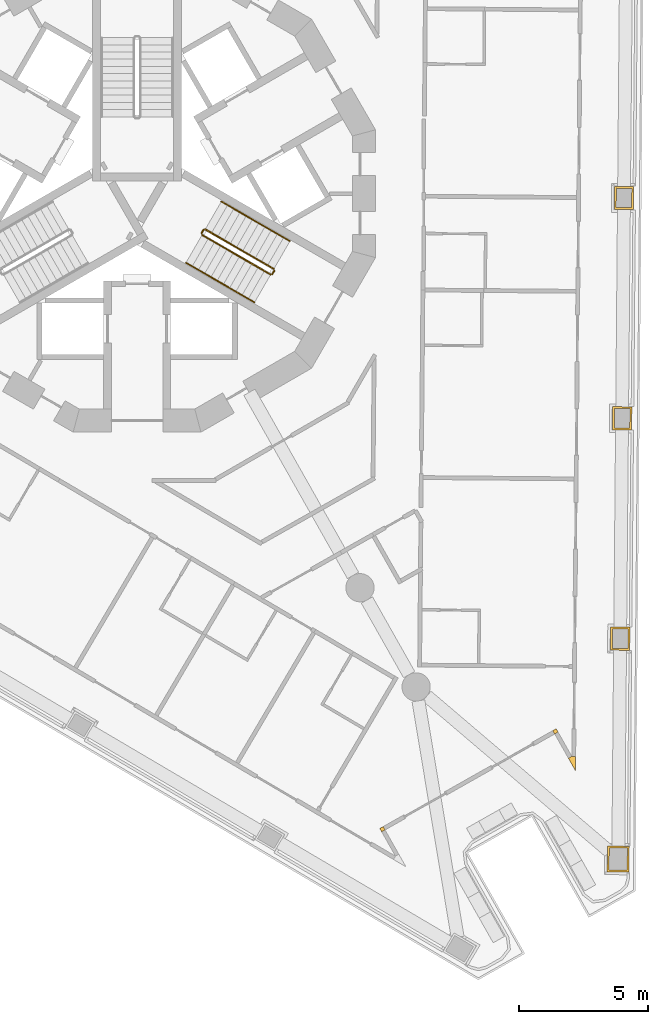
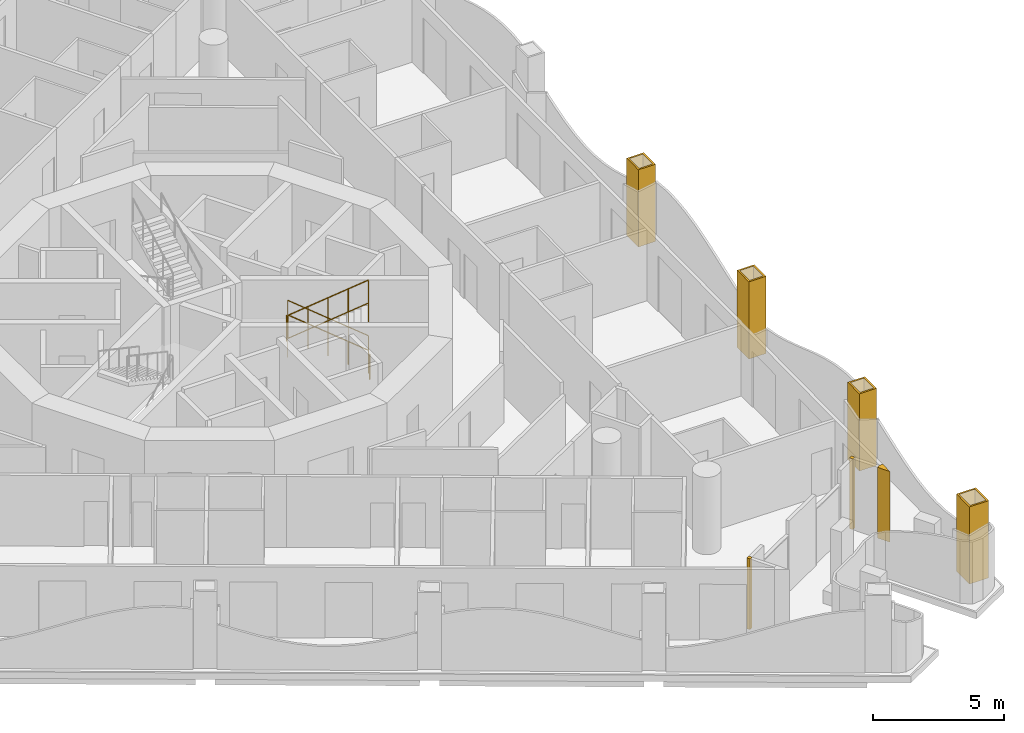
# One storey, part 14 of 17: 8 railings, 7 coverings.
"""IFC4 building model written with IfcOpenShell, lengths in metres."""

from ifc_helpers import new_model, si_unit, direction, frame, origin, origin_2d, place, context, subcontext, project, spatial, polyline, circle, outline, extrude, material, layer, layer_set, type_object, element, save


model = new_model("IFC4")

# Units and contexts
model_context = context("Model", 3, precision=1e-05, world=origin(), true_north=direction((0.0, 1.0)))
body_context = subcontext(model_context, "Body", "Model", "MODEL_VIEW")
ifc_project = project(units=[si_unit("LENGTHUNIT", "METRE"), si_unit("AREAUNIT", "SQUARE_METRE"), si_unit("VOLUMEUNIT", "CUBIC_METRE"), si_unit("PLANEANGLEUNIT", "RADIAN"), si_unit("MASSUNIT", "GRAM", prefix="KILO")], contexts=[model_context])

# Site, building, storey
site_placement = place(None, origin())
site = spatial("IfcSite", under=ifc_project, at=site_placement, CompositionType="ELEMENT")
building_placement = place(site_placement, origin())
building = spatial("IfcBuilding", under=site, at=building_placement, Name="Trine Commons Tower", CompositionType="ELEMENT")
storey_placement = place(building_placement, frame((0.0, 0.0, 168.300048828125)))
storey = spatial("IfcBuildingStorey", under=building, at=storey_placement, Name="L43", CompositionType="ELEMENT", Elevation=168.300048828125)

# Coverings
ifc_material_1 = material(Name="Aluminium-framed insulated wall panel", Category="aluminium")
ifc_layer_1 = layer(ifc_material_1, 0.14990234375)
ifc_layer_set_1 = layer_set([ifc_layer_1], Name="Aluminium-framed insulated wall panel")
covering_type_1 = type_object("IfcCoveringType", Name="Glazing corner post, aluminium", PredefinedType="CLADDING", material=ifc_layer_set_1)
covering_1_placement = place(storey_placement, origin())
element("IfcCovering", 1, at=covering_1_placement, inside=storey, type_object=covering_type_1, Name="Glazing corner post 5-09", PredefinedType="CLADDING", context=body_context, shape_type="SweptSolid", body=[
    extrude(outline(polyline([(96.776611328125, 40.5439453125), (97.05224609375, 40.056640625), (97.05712890625, 40.616455078125), (96.9072265625, 40.617919921875), (96.9072265625, 40.617919921875), (96.776611328125, 40.5439453125)])), origin(), (0.0, 0.0, 1.0), 3.300048828125),
])
covering_2_placement = place(storey_placement, origin())
element("IfcCovering", 2, at=covering_2_placement, inside=storey, type_object=covering_type_1, Name="Glazing corner post 5-10", PredefinedType="CLADDING", context=body_context, shape_type="SweptSolid", body=[
    extrude(outline(polyline([(96.168212890625, 41.619384765625), (96.241943359375, 41.489013671875), (96.37255859375, 41.562744140625), (96.298583984375, 41.693359375), (96.168212890625, 41.619384765625)])), origin(), (0.0, 0.0, 1.0), 3.300048828125),
])
covering_3_placement = place(storey_placement, origin())
element("IfcCovering", 3, at=covering_3_placement, inside=storey, type_object=covering_type_1, Name="Glazing corner post 5-11", PredefinedType="CLADDING", context=body_context, shape_type="SweptSolid", body=[
    extrude(outline(polyline([(89.51416015625, 37.6826171875), (89.644775390625, 37.75634765625), (89.57080078125, 37.886962890625), (89.440185546875, 37.81298828125), (89.51416015625, 37.6826171875)])), origin(), (0.0, 0.0, 1.0), 3.300048828125),
])
ifc_material_2 = material(Name="Limestone, honed", Category="masonry")
ifc_layer_2 = layer(ifc_material_2, 0.074951171875)
ifc_layer_set_2 = layer_set([ifc_layer_2], Name="Limestone, honed")
covering_type_2 = type_object("IfcCoveringType", Name="Limestone column cladding 75", PredefinedType="CLADDING", material=ifc_layer_set_2)
covering_4_placement = place(storey_placement, origin())
element("IfcCovering", 4, at=covering_4_placement, inside=storey, type_object=covering_type_2, Name="Limestone pier cladding 5-18", PredefinedType="CLADDING", context=body_context, shape_type="SweptSolid", body=[
    extrude(outline(polyline([(99.315673828125, 62.781494140625), (98.565673828125, 62.7880859375), (98.557861328125, 61.887939453125), (99.307861328125, 61.88134765625), (99.315673828125, 62.781494140625)]), holes=[polyline([(99.239990234375, 62.70703125), (98.64013671875, 62.71240234375), (98.633544921875, 61.96240234375), (99.2333984375, 61.95703125), (99.239990234375, 62.70703125)])]), origin(), (0.0, 0.0, 1.0), 3.599853515625),
])
covering_5_placement = place(storey_placement, origin())
element("IfcCovering", 5, at=covering_5_placement, inside=storey, type_object=covering_type_2, Name="Limestone pier cladding 5-19", PredefinedType="CLADDING", context=body_context, shape_type="SweptSolid", body=[
    extrude(outline(polyline([(99.240966796875, 54.211181640625), (98.490966796875, 54.2177734375), (98.483154296875, 53.31787109375), (99.233154296875, 53.311279296875), (99.240966796875, 54.211181640625)]), holes=[polyline([(99.165283203125, 54.136962890625), (98.565185546875, 54.14208984375), (98.55859375, 53.39208984375), (99.15869140625, 53.386962890625), (99.165283203125, 54.136962890625)])]), origin(), (0.0, 0.0, 1.0), 3.599853515625),
])
covering_6_placement = place(storey_placement, origin())
element("IfcCovering", 6, at=covering_6_placement, inside=storey, type_object=covering_type_2, Name="Limestone pier cladding 5-20", PredefinedType="CLADDING", context=body_context, shape_type="SweptSolid", body=[
    extrude(outline(polyline([(99.166015625, 45.640869140625), (98.416015625, 45.6474609375), (98.408203125, 44.74755859375), (99.158203125, 44.740966796875), (99.166015625, 45.640869140625)]), holes=[polyline([(99.090576171875, 45.566650390625), (98.490478515625, 45.57177734375), (98.48388671875, 44.82177734375), (99.083984375, 44.816650390625), (99.090576171875, 45.566650390625)])]), origin(), (0.0, 0.0, 1.0), 3.599853515625),
])
covering_7_placement = place(storey_placement, origin())
element("IfcCovering", 7, at=covering_7_placement, inside=storey, type_object=covering_type_2, Name="Limestone pier cladding 5-21", PredefinedType="CLADDING", context=body_context, shape_type="SweptSolid", body=[
    extrude(outline(polyline([(99.1416015625, 37.1201171875), (98.291748046875, 37.127685546875), (98.283203125, 36.127685546875), (99.133056640625, 36.1201171875), (99.1416015625, 37.1201171875)]), holes=[polyline([(99.066162109375, 37.0458984375), (98.3662109375, 37.052001953125), (98.358642578125, 36.201904296875), (99.05859375, 36.19580078125), (99.066162109375, 37.0458984375)])]), origin(), (0.0, 0.0, 1.0), 3.599853515625),
])

# Railings
ifc_material_3 = material(Name="Stainless steel balustrade", Category="steel")
railing_type_1 = type_object("IfcRailingType", Name="Stair guard, steel balustrade 1100", PredefinedType="GUARDRAIL", material=ifc_material_3)
railing_1_placement = place(storey_placement, frame((85.31982421875, 59.572998046875, 0.14990234375)))
element("IfcRailing", 8, at=railing_1_placement, inside=storey, type_object=railing_type_1, Name="L43 ST3B stair guard 1", PredefinedType="GUARDRAIL", context=body_context, shape_type="SweptSolid", body=[
    extrude(circle(Radius=0.02392578125, at=origin_2d()), frame((0.0, 0.0, 1.076171875), z_axis=(-0.763379768245, 0.440728498818, 0.472239049384), x_axis=(-0.499992328818, -0.866029832698, 0.0)), (0.0, 0.0, 1.0), 3.494384765625),
    extrude(circle(Radius=0.02099609375, at=origin_2d()), origin(), (0.0, 0.0, 1.0), 1.052001953125),
    extrude(circle(Radius=0.02099609375, at=origin_2d()), frame((-0.6669921875, 0.385009765625, 0.41259765625)), (0.0, 0.0, 1.0), 1.052001953125),
    extrude(circle(Radius=0.02099609375, at=origin_2d()), frame((-1.333740234375, 0.77001953125, 0.8251953125)), (0.0, 0.0, 1.0), 1.052001953125),
    extrude(circle(Radius=0.02099609375, at=origin_2d()), frame((-2.00048828125, 1.155029296875, 1.237548828125)), (0.0, 0.0, 1.0), 1.052001953125),
    extrude(circle(Radius=0.02099609375, at=origin_2d()), frame((-2.66748046875, 1.5400390625, 1.650146484375)), (0.0, 0.0, 1.0), 1.052001953125),
])
railing_2_placement = place(storey_placement, frame((82.584228515625, 61.0947265625, 1.800048828125)))
element("IfcRailing", 9, at=railing_2_placement, inside=storey, type_object=railing_type_1, Name="L43 ST3B stair guard 2", PredefinedType="GUARDRAIL", context=body_context, shape_type="SweptSolid", body=[
    extrude(circle(Radius=0.02392578125, at=origin_2d()), frame((0.0, 0.0, 1.076171875), z_axis=(-0.501036270542, -0.865426285481, 0.0), x_axis=(0.865426285481, -0.501036270542, 0.0)), (0.0, 0.0, 1.0), 0.150146484375),
    extrude(circle(Radius=0.02099609375, at=origin_2d()), origin(), (0.0, 0.0, 1.0), 1.052001953125),
    extrude(circle(Radius=0.02099609375, at=origin_2d()), frame((-0.0751953125, -0.1298828125, 0.0)), (0.0, 0.0, 1.0), 1.052001953125),
])
railing_3_placement = place(storey_placement, frame((82.52734375, 60.896484375, 1.949951171875)))
element("IfcRailing", 10, at=railing_3_placement, inside=storey, type_object=railing_type_1, Name="L43 ST3B stair guard 3", PredefinedType="GUARDRAIL", context=body_context, shape_type="SweptSolid", body=[
    extrude(circle(Radius=0.02392578125, at=origin_2d()), frame((0.0, 0.0, 1.076171875), z_axis=(0.76340495495, -0.440743040072, 0.472184759798), x_axis=(0.499992328818, 0.866029832698, 0.0)), (0.0, 0.0, 1.0), 3.494140625),
    extrude(circle(Radius=0.02099609375, at=origin_2d()), origin(), (0.0, 0.0, 1.0), 1.052001953125),
    extrude(circle(Radius=0.02099609375, at=origin_2d()), frame((0.6669921875, -0.385009765625, 0.41259765625)), (0.0, 0.0, 1.0), 1.052001953125),
    extrude(circle(Radius=0.02099609375, at=origin_2d()), frame((1.333740234375, -0.77001953125, 0.824951171875)), (0.0, 0.0, 1.0), 1.052001953125),
    extrude(circle(Radius=0.02099609375, at=origin_2d()), frame((2.00048828125, -1.155029296875, 1.2373046875)), (0.0, 0.0, 1.0), 1.052001953125),
    extrude(circle(Radius=0.02099609375, at=origin_2d()), frame((2.66748046875, -1.5400390625, 1.64990234375)), (0.0, 0.0, 1.0), 1.052001953125),
])
railing_4_placement = place(storey_placement, frame((85.338134765625, 59.504638671875, 0.0)))
element("IfcRailing", 11, at=railing_4_placement, inside=storey, type_object=railing_type_1, Name="L43 ST3B stair guard 4", PredefinedType="GUARDRAIL", context=body_context, shape_type="SweptSolid", body=[
    extrude(circle(Radius=0.02392578125, at=origin_2d()), frame((0.0, 0.0, 1.076171875), z_axis=(-0.499816412211, -0.866131372301, 0.0), x_axis=(0.866131372301, -0.499816412211, 0.0)), (0.0, 0.0, 1.0), 0.14990234375),
    extrude(circle(Radius=0.02099609375, at=origin_2d()), origin(), (0.0, 0.0, 1.0), 1.052001953125),
    extrude(circle(Radius=0.02099609375, at=origin_2d()), frame((-0.074951171875, -0.1298828125, 0.0)), (0.0, 0.0, 1.0), 1.052001953125),
])
ifc_material_4 = material(Name="Stainless steel handrail", Category="steel")
railing_type_2 = type_object("IfcRailingType", Name="Stair handrail, steel 900", PredefinedType="HANDRAIL", material=ifc_material_4)
railing_5_placement = place(storey_placement, frame((85.94482421875, 60.655517578125, 0.14990234375)))
element("IfcRailing", 12, at=railing_5_placement, inside=storey, type_object=railing_type_2, Name="L43 ST3B stair handrail 1", PredefinedType="HANDRAIL", context=body_context, shape_type="SweptSolid", body=[
    extrude(circle(Radius=0.02099609375, at=origin_2d()), frame((0.0, 0.0, 0.87890625), z_axis=(-0.76340495495, 0.440743040072, 0.472184759798), x_axis=(-0.499992328818, -0.866029832698, 0.0)), (0.0, 0.0, 1.0), 1.7470703125),
    extrude(circle(Radius=0.01513671875, at=origin_2d()), origin(), (0.0, 0.0, 1.0), 0.85791015625),
    extrude(circle(Radius=0.01513671875, at=origin_2d()), frame((-0.6669921875, 0.385009765625, 0.41259765625)), (0.0, 0.0, 1.0), 0.85791015625),
    extrude(circle(Radius=0.01513671875, at=origin_2d()), frame((-1.333740234375, 0.77001953125, 0.824951171875)), (0.0, 0.0, 1.0), 0.85791015625),
])
railing_6_placement = place(storey_placement, frame((84.611083984375, 61.425537109375, 0.974853515625)))
element("IfcRailing", 13, at=railing_6_placement, inside=storey, type_object=railing_type_2, Name="L43 ST3B stair handrail 2", PredefinedType="HANDRAIL", context=body_context, shape_type="SweptSolid", body=[
    extrude(circle(Radius=0.02099609375, at=origin_2d()), frame((0.0, 0.0, 0.87890625), z_axis=(-0.763354580307, 0.440713956853, 0.472293333596), x_axis=(-0.499992328818, -0.866029832698, 0.0)), (0.0, 0.0, 1.0), 1.747314453125),
    extrude(circle(Radius=0.01513671875, at=origin_2d()), origin(), (0.0, 0.0, 1.0), 0.85791015625),
    extrude(circle(Radius=0.01513671875, at=origin_2d()), frame((-0.6669921875, 0.385009765625, 0.41259765625)), (0.0, 0.0, 1.0), 0.85791015625),
    extrude(circle(Radius=0.01513671875, at=origin_2d()), frame((-1.333740234375, 0.77001953125, 0.8251953125)), (0.0, 0.0, 1.0), 0.85791015625),
])
for number, where, name in (
    (14, (81.90234375, 59.81396484375, 1.949951171875), "L43 ST3B stair handrail 3"),
    (15, (83.236083984375, 59.0439453125, 2.77490234375), "L43 ST3B stair handrail 4"),
):
    element("IfcRailing", number, at=place(storey_placement, frame(where)), inside=storey, type_object=railing_type_2, Name=name, PredefinedType="HANDRAIL", context=body_context, shape_type="SweptSolid", body=[
        extrude(circle(Radius=0.02099609375, at=origin_2d()), frame((0.0, 0.0, 0.87890625), z_axis=(0.76340495495, -0.440743040072, 0.472184759798), x_axis=(0.499992328818, 0.866029832698, 0.0)), (0.0, 0.0, 1.0), 1.7470703125),
        extrude(circle(Radius=0.01513671875, at=origin_2d()), origin(), (0.0, 0.0, 1.0), 0.85791015625),
        extrude(circle(Radius=0.01513671875, at=origin_2d()), frame((0.6669921875, -0.385009765625, 0.41259765625)), (0.0, 0.0, 1.0), 0.85791015625),
        extrude(circle(Radius=0.01513671875, at=origin_2d()), frame((1.333740234375, -0.77001953125, 0.824951171875)), (0.0, 0.0, 1.0), 0.85791015625),
    ])

save(model, "model.ifc")
